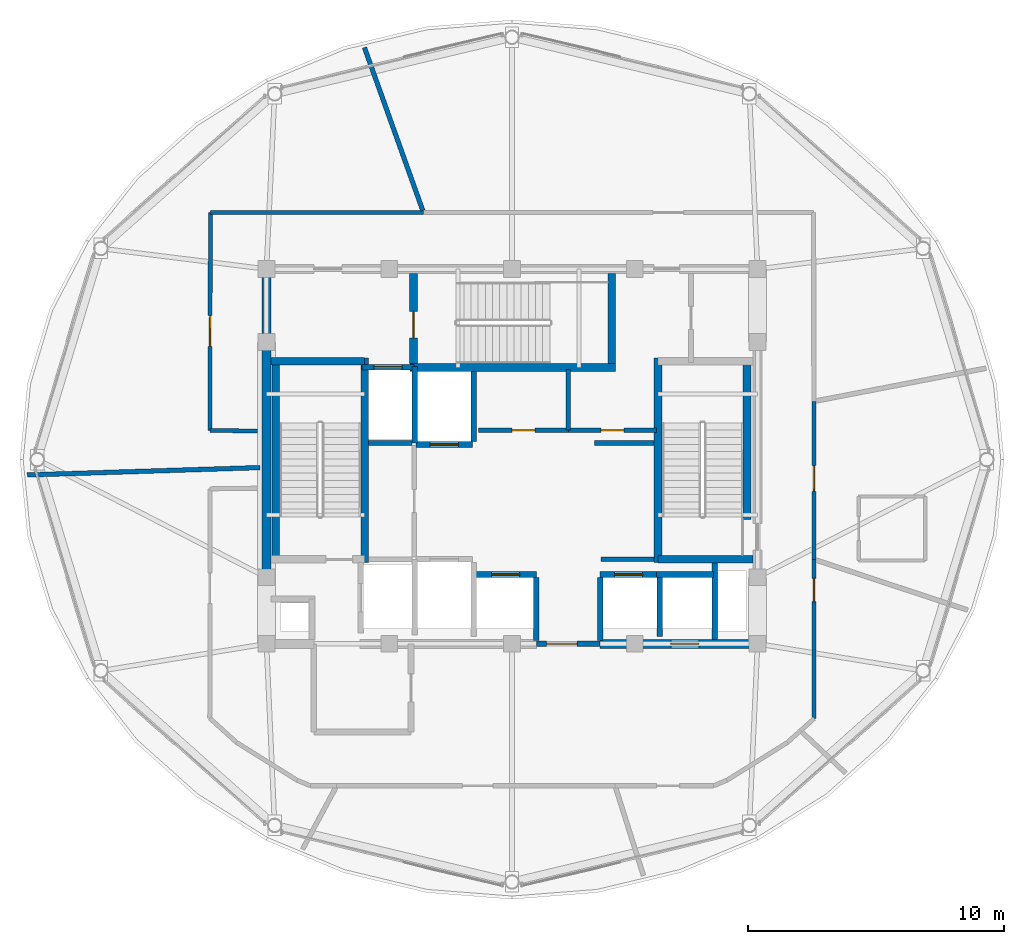
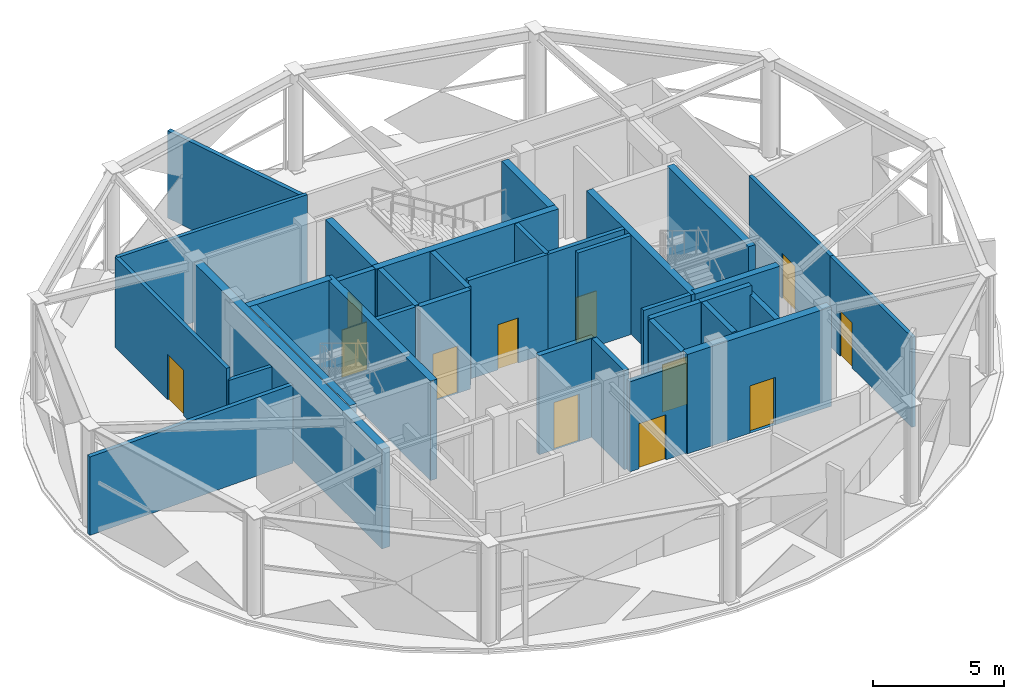
# One storey, part 17 of 22: 36 walls, 12 doors, 12 openings.
"""IFC4 building model written with IfcOpenShell, lengths in metres."""

from ifc_helpers import new_model, si_unit, direction, frame, frame_2d, origin, place, context, subcontext, project, spatial, rectangle, extrude, material, layer, layer_set, type_object, element, fill, save


model = new_model("IFC4")

# Units and contexts
model_context = context("Model", 3, precision=1e-05, world=origin(), true_north=direction((0.0, 1.0)))
body_context = subcontext(model_context, "Body", "Model", "MODEL_VIEW")
ifc_project = project(units=[si_unit("LENGTHUNIT", "METRE"), si_unit("AREAUNIT", "SQUARE_METRE"), si_unit("VOLUMEUNIT", "CUBIC_METRE"), si_unit("PLANEANGLEUNIT", "RADIAN"), si_unit("MASSUNIT", "GRAM", prefix="KILO")], contexts=[model_context])

# Site, building, storey
site_placement = place(None, origin())
site = spatial("IfcSite", under=ifc_project, at=site_placement, CompositionType="ELEMENT")
building_placement = place(site_placement, origin())
building = spatial("IfcBuilding", under=site, at=building_placement, Name="Vantalir Tower", CompositionType="ELEMENT")
storey_placement = place(building_placement, frame((0.0, 0.0, 294.89990234375)))
storey = spatial("IfcBuildingStorey", under=building, at=storey_placement, Name="L74", CompositionType="ELEMENT", Elevation=294.89990234375)

# Wall, opening, door
ifc_material_1 = material(Name="Concrete C50/60", Category="concrete")
ifc_layer_1 = layer(ifc_material_1, 0.35009765625)
ifc_layer_set_1 = layer_set([ifc_layer_1], Name="Concrete C50/60")
wall_type_1 = type_object("IfcWallType", Name="WL-CORE-350", PredefinedType="SHEAR", material=ifc_layer_set_1)
wall_1_placement = place(storey_placement, frame((34.949951171875, 17.800048828125, 0.0), z_axis=(0.0, 0.0, 1.0), x_axis=(1.0, 0.0, 0.0)))
wall_1 = element("IfcWall", 1, at=wall_1_placement, inside=storey, type_object=wall_type_1, Name="L74 Core Shear Wall South-East", PredefinedType="SHEAR", context=body_context, shape_type="SweptSolid", body=[
    extrude(rectangle(XDim=6.324951171875, YDim=0.35009765625, at=frame_2d((3.16259765625, 0.0))), origin(), (0.0, 0.0, 1.0), 4.6201171875),
])
opening_1_placement = place(wall_1_placement, frame((2.760009765625, 0.0, 0.0)))
opening_1 = element("IfcOpeningElement", 2, at=opening_1_placement, cuts=wall_1, Name="Opening LD-PL-X2", PredefinedType="OPENING", context=body_context, shape_type="SweptSolid", body=[
    extrude(rectangle(XDim=1.10009765625, YDim=2.199951171875, at=frame_2d((0.550048828125, 1.10009765625))), frame((0.0, 0.18505859375, 0.0), z_axis=(0.0, -1.0, 0.0), x_axis=(1.0, 0.0, 0.0)), (0.0, 0.0, 1.0), 0.3701171875),
])
ifc_material_2 = material(Name="Brushed stainless-steel sliding lift landing door", Category="steel")
door_type_1 = type_object("IfcDoorType", Name="DR-LIFT-LANDING-1100", OperationType="DOUBLE_DOOR_SLIDING", PredefinedType="DOOR", material=ifc_material_2)
door_1_placement = place(opening_1_placement, frame((1.10009765625, 0.0, 0.0), z_axis=(0.0, 0.0, 1.0), x_axis=(-1.0, 0.0, 0.0)))
door_1 = element("IfcDoor", 3, at=door_1_placement, inside=storey, type_object=door_type_1, Name="L74 Express Shuttle Lift Landing Door PL-X2", OperationType="DOUBLE_DOOR_SLIDING", OverallHeight=2.199951171875, OverallWidth=1.10009765625, PredefinedType="DOOR", context=body_context, shape_type="SweptSolid", body=[
    extrude(rectangle(XDim=1.10009765625, YDim=2.199951171875, at=frame_2d((0.550048828125, 1.10009765625))), frame((0.0, 0.02490234375, 0.0), z_axis=(0.0, -1.0, 0.0), x_axis=(1.0, 0.0, 0.0)), (0.0, 0.0, 1.0), 0.050048828125),
])
fill(opening_1, door_1)

# Walls
wall_2_placement = place(storey_placement, frame((21.89990234375, 17.97509765625, 0.0), z_axis=(0.0, 0.0, 1.0), x_axis=(0.0, 1.0, 0.0)))
element("IfcWall", 4, at=wall_2_placement, inside=storey, type_object=wall_type_1, Name="L74 Core Shear Wall West", PredefinedType="SHEAR", context=body_context, shape_type="SweptSolid", body=[
    extrude(rectangle(XDim=14.2998046875, YDim=0.35009765625, at=frame_2d((7.14990234375, 0.0))), origin(), (0.0, 0.0, 1.0), 4.6201171875),
])
ifc_material_3 = material(Name="Fire-rated hotel corridor acoustic partition", Category="gypsum")
ifc_layer_2 = layer(ifc_material_3, 0.159912109375)
ifc_layer_set_2 = layer_set([ifc_layer_2], Name="Fire-rated hotel corridor acoustic partition")
wall_type_2 = type_object("IfcWallType", Name="WL-CORR-160", PredefinedType="PARTITIONING", material=ifc_layer_set_2)
wall_3_placement = place(storey_placement, frame((21.544921875, 26.116943359375, 0.0), z_axis=(0.0, 0.0, 1.0), x_axis=(-0.999908513059, 0.0135264745, 0.0)))
element("IfcWall", 5, at=wall_3_placement, inside=storey, type_object=wall_type_2, Name="L74 Corridor Partition 01", PredefinedType="PARTITIONING", context=body_context, shape_type="SweptSolid", body=[
    extrude(rectangle(XDim=1.859130859375, YDim=0.159912109375, at=frame_2d((0.9296875, 0.0))), origin(), (0.0, 0.0, 1.0), 3.64501953125),
])

# Wall, opening, door
wall_4_placement = place(storey_placement, frame((19.68603515625, 26.14208984375, 0.0), z_axis=(0.0, 0.0, 1.0), x_axis=(0.002808172778, 0.999996057075, 0.0)))
wall_4 = element("IfcWall", 6, at=wall_4_placement, inside=storey, type_object=wall_type_2, Name="L74 Corridor Partition 02", PredefinedType="PARTITIONING", context=body_context, shape_type="SweptSolid", body=[
    extrude(rectangle(XDim=8.52001953125, YDim=0.159912109375, at=frame_2d((4.260009765625, 0.0))), origin(), (0.0, 0.0, 1.0), 4.18310546875),
])
opening_2_placement = place(wall_4_placement, frame((3.2880859375, 0.0, 0.0)))
opening_2 = element("IfcOpeningElement", 7, at=opening_2_placement, cuts=wall_4, Name="Opening D-STE", PredefinedType="OPENING", context=body_context, shape_type="SweptSolid", body=[
    extrude(rectangle(XDim=1.199951171875, YDim=2.10009765625, at=frame_2d((0.60009765625, 1.050048828125))), frame((0.0, 0.08984375, 0.0), z_axis=(0.0, -1.0, 0.0), x_axis=(1.0, 0.0, 0.0)), (0.0, 0.0, 1.0), 0.179931640625),
])
ifc_material_4 = material(Name="Solid-core teak veneer suite entrance door", Category="wood")
door_type_2 = type_object("IfcDoorType", Name="DR-SUITE-ENTRY-1200", OperationType="NOTDEFINED", PredefinedType="DOOR", material=ifc_material_4)
door_2_placement = place(opening_2_placement, origin())
door_2 = element("IfcDoor", 8, at=door_2_placement, inside=storey, type_object=door_type_2, Name="L74 Sky Observatory Lounge Door", OperationType="SINGLE_SWING_LEFT", OverallHeight=2.10009765625, OverallWidth=1.199951171875, PredefinedType="DOOR", context=body_context, shape_type="SweptSolid", body=[
    extrude(rectangle(XDim=1.199951171875, YDim=2.10009765625, at=frame_2d((0.60009765625, 1.050048828125))), frame((0.0, 0.02490234375, 0.0), z_axis=(0.0, -1.0, 0.0), x_axis=(1.0, 0.0, 0.0)), (0.0, 0.0, 1.0), 0.050048828125),
])
fill(opening_2, door_2)

# Wall
wall_5_placement = place(storey_placement, frame((19.7099609375, 34.662109375, 0.0), z_axis=(0.0, 0.0, 1.0), x_axis=(0.999999989265, -0.000146524439, 0.0)))
element("IfcWall", 9, at=wall_5_placement, inside=storey, type_object=wall_type_2, Name="L74 Corridor Partition 03", PredefinedType="PARTITIONING", context=body_context, shape_type="SweptSolid", body=[
    extrude(rectangle(XDim=8.3310546875, YDim=0.159912109375, at=frame_2d((4.16552734375, 0.0))), origin(), (0.0, 0.0, 1.0), 4.18310546875),
])

# Wall, opening, door
wall_6_placement = place(storey_placement, frame((43.300048828125, 27.27587890625, 0.0), z_axis=(0.0, 0.0, 1.0), x_axis=(0.000790763631, -0.999999687346, 0.0)))
wall_6 = element("IfcWall", 10, at=wall_6_placement, inside=storey, type_object=wall_type_2, Name="L74 Corridor Partition 06", PredefinedType="PARTITIONING", context=body_context, shape_type="SweptSolid", body=[
    extrude(rectangle(XDim=6.1748046875, YDim=0.159912109375, at=frame_2d((3.08740234375, 0.0))), origin(), (0.0, 0.0, 1.0), 4.18310546875),
])
opening_3_placement = place(wall_6_placement, frame((2.513916015625, 0.0, 0.0)))
opening_3 = element("IfcOpeningElement", 11, at=opening_3_placement, cuts=wall_6, Name="Opening D-GUEST", PredefinedType="OPENING", context=body_context, shape_type="SweptSolid", body=[
    extrude(rectangle(XDim=1.0, YDim=2.10009765625, at=frame_2d((0.5, 1.050048828125))), frame((0.0, 0.08984375, 0.0), z_axis=(0.0, -1.0, 0.0), x_axis=(1.0, 0.0, 0.0)), (0.0, 0.0, 1.0), 0.179931640625),
])
ifc_material_5 = material(Name="Solid-core teak veneer acoustic fire door", Category="wood")
door_type_3 = type_object("IfcDoorType", Name="DR-GUEST-ENTRY-1000", OperationType="NOTDEFINED", PredefinedType="DOOR", material=ifc_material_5)
door_3_placement = place(opening_3_placement, origin())
door_3 = element("IfcDoor", 12, at=door_3_placement, inside=storey, type_object=door_type_3, Name="L74 Sanitary Vestibule Door", OperationType="SINGLE_SWING_RIGHT", OverallHeight=2.10009765625, OverallWidth=1.0, PredefinedType="DOOR", context=body_context, shape_type="SweptSolid", body=[
    extrude(rectangle(XDim=1.0, YDim=2.10009765625, at=frame_2d((0.5, 1.050048828125))), frame((0.0, 0.02490234375, 0.0), z_axis=(0.0, -1.0, 0.0), x_axis=(1.0, 0.0, 0.0)), (0.0, 0.0, 1.0), 0.050048828125),
])
fill(opening_3, door_3)

wall_7_placement = place(storey_placement, frame((43.304931640625, 21.10107421875, 0.0), z_axis=(0.0, 0.0, 1.0), x_axis=(0.000980468585, -0.999999519341, 0.0)))
wall_7 = element("IfcWall", 13, at=wall_7_placement, inside=storey, type_object=wall_type_2, Name="L74 Corridor Partition 07", PredefinedType="PARTITIONING", context=body_context, shape_type="SweptSolid", body=[
    extrude(rectangle(XDim=6.22509765625, YDim=0.159912109375, at=frame_2d((3.112548828125, 0.0))), origin(), (0.0, 0.0, 1.0), 4.18310546875),
])
opening_4_placement = place(wall_7_placement, frame((0.7490234375, 0.0, 0.0)))
opening_4 = element("IfcOpeningElement", 14, at=opening_4_placement, cuts=wall_7, Name="Opening D-WC", PredefinedType="OPENING", context=body_context, shape_type="SweptSolid", body=[
    extrude(rectangle(XDim=0.89990234375, YDim=2.10009765625, at=frame_2d((0.449951171875, 1.050048828125))), frame((0.0, 0.08984375, 0.0), z_axis=(0.0, -1.0, 0.0), x_axis=(1.0, 0.0, 0.0)), (0.0, 0.0, 1.0), 0.179931640625),
])
ifc_material_6 = material(Name="Moisture-resistant hardwood door", Category="wood")
door_type_4 = type_object("IfcDoorType", Name="DR-ENSUITE-900", OperationType="NOTDEFINED", PredefinedType="DOOR", material=ifc_material_6)
door_4_placement = place(opening_4_placement, origin())
door_4 = element("IfcDoor", 15, at=door_4_placement, inside=storey, type_object=door_type_4, Name="L74 Public Female WC Door", OperationType="SINGLE_SWING_LEFT", OverallHeight=2.10009765625, OverallWidth=0.89990234375, PredefinedType="DOOR", context=body_context, shape_type="SweptSolid", body=[
    extrude(rectangle(XDim=0.89990234375, YDim=2.10009765625, at=frame_2d((0.449951171875, 1.050048828125))), frame((0.0, 0.02490234375, 0.0), z_axis=(0.0, -1.0, 0.0), x_axis=(1.0, 0.0, 0.0)), (0.0, 0.0, 1.0), 0.050048828125),
])
fill(opening_4, door_4)

# Walls
ifc_material_7 = material(Name="Concrete blockwork with fireboard lining", Category="masonry")
ifc_layer_3 = layer(ifc_material_7, 0.219970703125)
ifc_layer_set_3 = layer_set([ifc_layer_3], Name="Concrete blockwork with fireboard lining")
wall_type_3 = type_object("IfcWallType", Name="WL-FFL-220", PredefinedType="PARTITIONING", material=ifc_layer_set_3)
for number, where, z_axis, x_axis, name in (
    (16, (32.449951171875, 17.919921875, 0.0), (0.0, 0.0, 1.0), (0.0, 1.0, 0.0), "L74 Shuttle Lift PL-X1 East Shaft Cheek"),
    (17, (34.949951171875, 17.919921875, 0.0), (0.0, 0.0, 1.0), (0.0, 1.0, 0.0), "L74 Shuttle Lift PL-X3 West Shaft Cheek"),
):
    element("IfcWall", number, at=place(storey_placement, frame(where, z_axis=z_axis, x_axis=x_axis)), inside=storey, type_object=wall_type_3, Name=name, PredefinedType="PARTITIONING", context=body_context, shape_type="SweptSolid", body=[
        extrude(rectangle(XDim=2.469970703125, YDim=0.219970703125, at=frame_2d((1.23486328125, 0.0))), origin(), (0.0, 0.0, 1.0), 4.59521484375),
    ])
wall_8_placement = place(storey_placement, frame((37.27490234375, 18.080078125, 0.0), z_axis=(0.0, 0.0, 1.0), x_axis=(0.0, 1.0, 0.0)))
element("IfcWall", 18, at=wall_8_placement, inside=storey, type_object=wall_type_3, Name="L74 Shuttle Lift PL-X2/X3 Shaft Divider", PredefinedType="PARTITIONING", context=body_context, shape_type="SweptSolid", body=[
    extrude(rectangle(XDim=2.309814453125, YDim=0.219970703125, at=frame_2d((1.15478515625, 0.0))), origin(), (0.0, 0.0, 1.0), 4.59521484375),
])
wall_9_placement = place(storey_placement, frame((30.0, 25.7099609375, 0.0), z_axis=(0.0, 0.0, 1.0), x_axis=(0.0, 1.0, 0.0)))
element("IfcWall", 19, at=wall_9_placement, inside=storey, type_object=wall_type_3, Name="L74 Service Lift SV2 East Shaft Wall", PredefinedType="PARTITIONING", context=body_context, shape_type="SweptSolid", body=[
    extrude(rectangle(XDim=2.72998046875, YDim=0.219970703125, at=frame_2d((1.364990234375, 0.0))), origin(), (0.0, 0.0, 1.0), 4.59521484375),
])

# Wall, opening, door
wall_10_placement = place(storey_placement, frame((32.449951171875, 17.800048828125, 0.0), z_axis=(0.0, 0.0, 1.0), x_axis=(1.0, 0.0, 0.0)))
wall_10 = element("IfcWall", 20, at=wall_10_placement, inside=storey, type_object=wall_type_3, Name="L74 Passenger Lift Lobby South Wall", PredefinedType="PARTITIONING", context=body_context, shape_type="SweptSolid", body=[
    extrude(rectangle(XDim=2.5, YDim=0.219970703125, at=frame_2d((1.25, 0.0))), origin(), (0.0, 0.0, 1.0), 4.18310546875),
])
opening_5_placement = place(wall_10_placement, frame((0.39990234375, 0.0, 0.0)))
opening_5 = element("IfcOpeningElement", 21, at=opening_5_placement, cuts=wall_10, Name="Opening D-STE", PredefinedType="OPENING", context=body_context, shape_type="SweptSolid", body=[
    extrude(rectangle(XDim=1.199951171875, YDim=2.10009765625, at=frame_2d((0.60009765625, 1.050048828125))), frame((0.0, 0.119873046875, 0.0), z_axis=(0.0, -1.0, 0.0), x_axis=(1.0, 0.0, 0.0)), (0.0, 0.0, 1.0), 0.239990234375),
])
door_5_placement = place(opening_5_placement, origin())
door_5 = element("IfcDoor", 22, at=door_5_placement, inside=storey, type_object=door_type_2, Name="L74 Passenger Lift Lobby Concourse Door", OperationType="SINGLE_SWING_LEFT", OverallHeight=2.10009765625, OverallWidth=1.199951171875, PredefinedType="DOOR", context=body_context, shape_type="SweptSolid", body=[
    extrude(rectangle(XDim=1.199951171875, YDim=2.10009765625, at=frame_2d((0.60009765625, 1.050048828125))), frame((0.0, 0.02490234375, 0.0), z_axis=(0.0, -1.0, 0.0), x_axis=(1.0, 0.0, 0.0)), (0.0, 0.0, 1.0), 0.050048828125),
])
fill(opening_5, door_5)

# Wall
wall_11_placement = place(storey_placement, frame((39.419921875, 17.97509765625, 0.0), z_axis=(0.0, 0.0, 1.0), x_axis=(0.0, 1.0, 0.0)))
element("IfcWall", 23, at=wall_11_placement, inside=storey, type_object=wall_type_3, Name="L74 East MEP Riser Wall W", PredefinedType="PARTITIONING", context=body_context, shape_type="SweptSolid", body=[
    extrude(rectangle(XDim=2.974853515625, YDim=0.219970703125, at=frame_2d((1.4873046875, 0.0))), origin(), (0.0, 0.0, 1.0), 4.18310546875),
])

# Wall, opening, door
wall_12_placement = place(storey_placement, frame((25.639892578125, 28.610107421875, 0.0), z_axis=(0.0, 0.0, 1.0), x_axis=(1.0, 0.0, 0.0)))
wall_12 = element("IfcWall", 24, at=wall_12_placement, inside=storey, type_object=wall_type_3, Name="L74 Lift FL2 Shaft Front Wall", PredefinedType="PARTITIONING", context=body_context, shape_type="SweptSolid", body=[
    extrude(rectangle(XDim=2.02001953125, YDim=0.219970703125, at=frame_2d((1.010009765625, 0.0))), origin(), (0.0, 0.0, 1.0), 4.60009765625),
])
opening_6_placement = place(wall_12_placement, frame((0.4599609375, 0.0, 0.0)))
opening_6 = element("IfcOpeningElement", 25, at=opening_6_placement, cuts=wall_12, Name="Opening LD-FL2", PredefinedType="OPENING", context=body_context, shape_type="SweptSolid", body=[
    extrude(rectangle(XDim=1.10009765625, YDim=2.199951171875, at=frame_2d((0.550048828125, 1.10009765625))), frame((0.0, 0.119873046875, 0.0), z_axis=(0.0, -1.0, 0.0), x_axis=(1.0, 0.0, 0.0)), (0.0, 0.0, 1.0), 0.239990234375),
])
door_6_placement = place(opening_6_placement, origin())
door_6 = element("IfcDoor", 26, at=door_6_placement, inside=storey, type_object=door_type_1, Name="L74 Lift Landing Door FL2", OperationType="DOUBLE_DOOR_SLIDING", OverallHeight=2.199951171875, OverallWidth=1.10009765625, PredefinedType="DOOR", context=body_context, shape_type="SweptSolid", body=[
    extrude(rectangle(XDim=1.10009765625, YDim=2.199951171875, at=frame_2d((0.550048828125, 1.10009765625))), frame((0.0, 0.02490234375, 0.0), z_axis=(0.0, -1.0, 0.0), x_axis=(1.0, 0.0, 0.0)), (0.0, 0.0, 1.0), 0.050048828125),
])
fill(opening_6, door_6)

wall_13_placement = place(storey_placement, frame((27.739990234375, 25.590087890625, 0.0), z_axis=(0.0, 0.0, 1.0), x_axis=(1.0, 0.0, 0.0)))
wall_13 = element("IfcWall", 27, at=wall_13_placement, inside=storey, type_object=wall_type_3, Name="L74 Lift SV2 Shaft Front Wall", PredefinedType="PARTITIONING", context=body_context, shape_type="SweptSolid", body=[
    extrude(rectangle(XDim=2.219970703125, YDim=0.219970703125, at=frame_2d((1.10986328125, 0.0))), origin(), (0.0, 0.0, 1.0), 4.60009765625),
])
opening_7_placement = place(wall_13_placement, frame((0.56005859375, 0.0, 0.0)))
opening_7 = element("IfcOpeningElement", 28, at=opening_7_placement, cuts=wall_13, Name="Opening LD-SV2", PredefinedType="OPENING", context=body_context, shape_type="SweptSolid", body=[
    extrude(rectangle(XDim=1.10009765625, YDim=2.199951171875, at=frame_2d((0.550048828125, 1.10009765625))), frame((0.0, 0.119873046875, 0.0), z_axis=(0.0, -1.0, 0.0), x_axis=(1.0, 0.0, 0.0)), (0.0, 0.0, 1.0), 0.239990234375),
])
door_7_placement = place(opening_7_placement, frame((1.10009765625, 0.0, 0.0), z_axis=(0.0, 0.0, 1.0), x_axis=(-1.0, 0.0, 0.0)))
door_7 = element("IfcDoor", 29, at=door_7_placement, inside=storey, type_object=door_type_1, Name="L74 Lift Landing Door SV2", OperationType="DOUBLE_DOOR_SLIDING", OverallHeight=2.199951171875, OverallWidth=1.10009765625, PredefinedType="DOOR", context=body_context, shape_type="SweptSolid", body=[
    extrude(rectangle(XDim=1.10009765625, YDim=2.199951171875, at=frame_2d((0.550048828125, 1.10009765625))), frame((0.0, 0.02490234375, 0.0), z_axis=(0.0, -1.0, 0.0), x_axis=(1.0, 0.0, 0.0)), (0.0, 0.0, 1.0), 0.050048828125),
])
fill(opening_7, door_7)

wall_14_placement = place(storey_placement, frame((30.0400390625, 20.510009765625, 0.0), z_axis=(0.0, 0.0, 1.0), x_axis=(1.0, 0.0, 0.0)))
wall_14 = element("IfcWall", 30, at=wall_14_placement, inside=storey, type_object=wall_type_3, Name="L74 Lift PL-X1 Shaft Front Wall", PredefinedType="PARTITIONING", context=body_context, shape_type="SweptSolid", body=[
    extrude(rectangle(XDim=2.419921875, YDim=0.219970703125, at=frame_2d((1.2099609375, 0.0))), origin(), (0.0, 0.0, 1.0), 4.60009765625),
])
opening_8_placement = place(wall_14_placement, frame((0.659912109375, 0.0, 0.0)))
opening_8 = element("IfcOpeningElement", 31, at=opening_8_placement, cuts=wall_14, Name="Opening LD-PL-X1", PredefinedType="OPENING", context=body_context, shape_type="SweptSolid", body=[
    extrude(rectangle(XDim=1.10009765625, YDim=2.199951171875, at=frame_2d((0.550048828125, 1.10009765625))), frame((0.0, 0.119873046875, 0.0), z_axis=(0.0, -1.0, 0.0), x_axis=(1.0, 0.0, 0.0)), (0.0, 0.0, 1.0), 0.239990234375),
])
door_8_placement = place(opening_8_placement, origin())
door_8 = element("IfcDoor", 32, at=door_8_placement, inside=storey, type_object=door_type_1, Name="L74 Lift Landing Door PL-X1", OperationType="DOUBLE_DOOR_SLIDING", OverallHeight=2.199951171875, OverallWidth=1.10009765625, PredefinedType="DOOR", context=body_context, shape_type="SweptSolid", body=[
    extrude(rectangle(XDim=1.10009765625, YDim=2.199951171875, at=frame_2d((0.550048828125, 1.10009765625))), frame((0.0, 0.02490234375, 0.0), z_axis=(0.0, -1.0, 0.0), x_axis=(1.0, 0.0, 0.0)), (0.0, 0.0, 1.0), 0.050048828125),
])
fill(opening_8, door_8)

# Wall
wall_15_placement = place(storey_placement, frame((37.139892578125, 20.510009765625, 0.0), z_axis=(0.0, 0.0, 1.0), x_axis=(1.0, 0.0, 0.0)))
element("IfcWall", 33, at=wall_15_placement, inside=storey, type_object=wall_type_3, Name="L74 Lift PL-X2 Shaft Rear Wall", PredefinedType="PARTITIONING", context=body_context, shape_type="SweptSolid", body=[
    extrude(rectangle(XDim=2.239990234375, YDim=0.219970703125, at=frame_2d((1.1201171875, 0.0))), origin(), (0.0, 0.0, 1.0), 4.60009765625),
])

# Wall, opening, door
wall_16_placement = place(storey_placement, frame((34.93994140625, 20.510009765625, 0.0), z_axis=(0.0, 0.0, 1.0), x_axis=(1.0, 0.0, 0.0)))
wall_16 = element("IfcWall", 34, at=wall_16_placement, inside=storey, type_object=wall_type_3, Name="L74 Lift PL-X3 Shaft Front Wall", PredefinedType="PARTITIONING", context=body_context, shape_type="SweptSolid", body=[
    extrude(rectangle(XDim=2.239990234375, YDim=0.219970703125, at=frame_2d((1.1201171875, 0.0))), origin(), (0.0, 0.0, 1.0), 4.60009765625),
])
opening_9_placement = place(wall_16_placement, frame((0.570068359375, 0.0, 0.0)))
opening_9 = element("IfcOpeningElement", 35, at=opening_9_placement, cuts=wall_16, Name="Opening LD-PL-X3", PredefinedType="OPENING", context=body_context, shape_type="SweptSolid", body=[
    extrude(rectangle(XDim=1.10009765625, YDim=2.199951171875, at=frame_2d((0.550048828125, 1.10009765625))), frame((0.0, 0.119873046875, 0.0), z_axis=(0.0, -1.0, 0.0), x_axis=(1.0, 0.0, 0.0)), (0.0, 0.0, 1.0), 0.239990234375),
])
door_9_placement = place(opening_9_placement, origin())
door_9 = element("IfcDoor", 36, at=door_9_placement, inside=storey, type_object=door_type_1, Name="L74 Lift Landing Door PL-X3", OperationType="DOUBLE_DOOR_SLIDING", OverallHeight=2.199951171875, OverallWidth=1.10009765625, PredefinedType="DOOR", context=body_context, shape_type="SweptSolid", body=[
    extrude(rectangle(XDim=1.10009765625, YDim=2.199951171875, at=frame_2d((0.550048828125, 1.10009765625))), frame((0.0, 0.02490234375, 0.0), z_axis=(0.0, -1.0, 0.0), x_axis=(1.0, 0.0, 0.0)), (0.0, 0.0, 1.0), 0.050048828125),
])
fill(opening_9, door_9)

# Walls
wall_17_placement = place(storey_placement, frame((27.699951171875, 25.64990234375, 0.0), z_axis=(0.0, 0.0, 1.0), x_axis=(0.0, 1.0, 0.0)))
element("IfcWall", 37, at=wall_17_placement, inside=storey, type_object=wall_type_3, Name="L74 Fire Lift FL2 Dividing Wall", PredefinedType="PARTITIONING", context=body_context, shape_type="SweptSolid", body=[
    extrude(rectangle(XDim=3.0, YDim=0.219970703125, at=frame_2d((1.5, 0.0))), origin(), (0.0, 0.0, 1.0), 4.60009765625),
])
ifc_material_8 = material(Name="Twin-stud acoustic fire-rated gypsum partition", Category="gypsum")
ifc_layer_4 = layer(ifc_material_8, 0.179931640625)
ifc_layer_set_4 = layer_set([ifc_layer_4], Name="Twin-stud acoustic fire-rated gypsum partition")
wall_type_4 = type_object("IfcWallType", Name="WL-GUEST-180", PredefinedType="PARTITIONING", material=ifc_layer_set_4)
wall_18_placement = place(storey_placement, frame((25.889892578125, 25.64990234375, 0.0), z_axis=(0.0, 0.0, 1.0), x_axis=(1.0, 0.0, 0.0)))
element("IfcWall", 38, at=wall_18_placement, inside=storey, type_object=wall_type_4, Name="L74 Freed West Core North Wall", PredefinedType="PARTITIONING", context=body_context, shape_type="SweptSolid", body=[
    extrude(rectangle(XDim=1.7001953125, YDim=0.179931640625, at=frame_2d((0.85009765625, 0.0))), origin(), (0.0, 0.0, 1.0), 4.60009765625),
])
wall_19_placement = place(storey_placement, frame((34.97998046875, 21.10009765625, 0.0), z_axis=(0.0, 0.0, 1.0), x_axis=(1.0, 0.0, 0.0)))
element("IfcWall", 39, at=wall_19_placement, inside=storey, type_object=wall_type_4, Name="L74 Freed East Core South Wall", PredefinedType="PARTITIONING", context=body_context, shape_type="SweptSolid", body=[
    extrude(rectangle(XDim=2.080078125, YDim=0.179931640625, at=frame_2d((1.0400390625, 0.0))), origin(), (0.0, 0.0, 1.0), 4.60009765625),
])
wall_20_placement = place(storey_placement, frame((34.719970703125, 25.64990234375, 0.0), z_axis=(0.0, 0.0, 1.0), x_axis=(1.0, 0.0, 0.0)))
element("IfcWall", 40, at=wall_20_placement, inside=storey, type_object=wall_type_4, Name="L74 Freed East Core North Wall", PredefinedType="PARTITIONING", context=body_context, shape_type="SweptSolid", body=[
    extrude(rectangle(XDim=2.340087890625, YDim=0.179931640625, at=frame_2d((1.169921875, 0.0))), origin(), (0.0, 0.0, 1.0), 4.60009765625),
])
wall_21_placement = place(storey_placement, frame((33.699951171875, 26.14990234375, 0.0), z_axis=(0.0, 0.0, 1.0), x_axis=(0.0, 1.0, 0.0)))
element("IfcWall", 41, at=wall_21_placement, inside=storey, type_object=wall_type_4, Name="L74 Freed North-Mid Core Divider", PredefinedType="PARTITIONING", context=body_context, shape_type="SweptSolid", body=[
    extrude(rectangle(XDim=2.3701171875, YDim=0.179931640625, at=frame_2d((1.18505859375, 0.0))), origin(), (0.0, 0.0, 1.0), 4.60009765625),
])

# Wall, opening, door
wall_22_placement = place(storey_placement, frame((30.199951171875, 26.14990234375, 0.0), z_axis=(0.0, 0.0, 1.0), x_axis=(1.0, 0.0, 0.0)))
wall_22 = element("IfcWall", 42, at=wall_22_placement, inside=storey, type_object=wall_type_4, Name="L74 Freed North-Mid Core Wall W", PredefinedType="PARTITIONING", context=body_context, shape_type="SweptSolid", body=[
    extrude(rectangle(XDim=3.5, YDim=0.179931640625, at=frame_2d((1.75, 0.0))), origin(), (0.0, 0.0, 1.0), 4.60009765625),
])
opening_10_placement = place(wall_22_placement, frame((1.300048828125, 0.0, 0.0)))
opening_10 = element("IfcOpeningElement", 43, at=opening_10_placement, cuts=wall_22, Name="Opening D-CR", PredefinedType="OPENING", context=body_context, shape_type="SweptSolid", body=[
    extrude(rectangle(XDim=0.89990234375, YDim=2.10009765625, at=frame_2d((0.449951171875, 1.050048828125))), frame((0.0, 0.099853515625, 0.0), z_axis=(0.0, -1.0, 0.0), x_axis=(1.0, 0.0, 0.0)), (0.0, 0.0, 1.0), 0.199951171875),
])
ifc_material_9 = material(Name="Fire-rated steel core service door", Category="steel")
door_type_5 = type_object("IfcDoorType", Name="DR-CORE-SERV-900", OperationType="NOTDEFINED", PredefinedType="DOOR", material=ifc_material_9)
door_10_placement = place(opening_10_placement, origin())
door_10 = element("IfcDoor", 44, at=door_10_placement, inside=storey, type_object=door_type_5, Name="L74 Core Cloakroom Store Door", OperationType="SINGLE_SWING_LEFT", OverallHeight=2.10009765625, OverallWidth=0.89990234375, PredefinedType="DOOR", context=body_context, shape_type="SweptSolid", body=[
    extrude(rectangle(XDim=0.89990234375, YDim=2.10009765625, at=frame_2d((0.449951171875, 1.050048828125))), frame((0.0, 0.02490234375, 0.0), z_axis=(0.0, -1.0, 0.0), x_axis=(1.0, 0.0, 0.0)), (0.0, 0.0, 1.0), 0.050048828125),
])
fill(opening_10, door_10)

wall_23_placement = place(storey_placement, frame((33.699951171875, 26.14990234375, 0.0), z_axis=(0.0, 0.0, 1.0), x_axis=(1.0, 0.0, 0.0)))
wall_23 = element("IfcWall", 45, at=wall_23_placement, inside=storey, type_object=wall_type_4, Name="L74 Freed North-Mid Core Wall E", PredefinedType="PARTITIONING", context=body_context, shape_type="SweptSolid", body=[
    extrude(rectangle(XDim=3.449951171875, YDim=0.179931640625, at=frame_2d((1.72509765625, 0.0))), origin(), (0.0, 0.0, 1.0), 4.60009765625),
])
opening_11_placement = place(wall_23_placement, frame((1.27490234375, 0.0, 0.0)))
opening_11 = element("IfcOpeningElement", 46, at=opening_11_placement, cuts=wall_23, Name="Opening D-CR", PredefinedType="OPENING", context=body_context, shape_type="SweptSolid", body=[
    extrude(rectangle(XDim=0.89990234375, YDim=2.10009765625, at=frame_2d((0.449951171875, 1.050048828125))), frame((0.0, 0.099853515625, 0.0), z_axis=(0.0, -1.0, 0.0), x_axis=(1.0, 0.0, 0.0)), (0.0, 0.0, 1.0), 0.199951171875),
])
door_11_placement = place(opening_11_placement, origin())
door_11 = element("IfcDoor", 47, at=door_11_placement, inside=storey, type_object=door_type_5, Name="L74 Core AV Room Door", OperationType="SINGLE_SWING_RIGHT", OverallHeight=2.10009765625, OverallWidth=0.89990234375, PredefinedType="DOOR", context=body_context, shape_type="SweptSolid", body=[
    extrude(rectangle(XDim=0.89990234375, YDim=2.10009765625, at=frame_2d((0.449951171875, 1.050048828125))), frame((0.0, 0.02490234375, 0.0), z_axis=(0.0, -1.0, 0.0), x_axis=(1.0, 0.0, 0.0)), (0.0, 0.0, 1.0), 0.050048828125),
])
fill(opening_11, door_11)

# Walls
wall_24_placement = place(storey_placement, frame((28.011962890625, 34.739990234375, 0.0), z_axis=(0.0, 0.0, 1.0), x_axis=(-0.337062739669, 0.941482187578, 0.0)))
element("IfcWall", 48, at=wall_24_placement, inside=storey, type_object=wall_type_4, Name="L74 Radial Suite Partition 02", PredefinedType="PARTITIONING", context=body_context, shape_type="SweptSolid", body=[
    extrude(rectangle(XDim=6.770263671875, YDim=0.179931640625, at=frame_2d((3.38525390625, 0.0))), origin(), (0.0, 0.0, 1.0), 4.052978515625),
])
wall_25_placement = place(storey_placement, frame((21.64990234375, 24.68798828125, 0.0), z_axis=(0.0, 0.0, 1.0), x_axis=(-0.999499359617, -0.031639060127, 0.0)))
element("IfcWall", 49, at=wall_25_placement, inside=storey, type_object=wall_type_4, Name="L74 Radial Suite Partition 03", PredefinedType="PARTITIONING", context=body_context, shape_type="SweptSolid", body=[
    extrude(rectangle(XDim=9.10546875, YDim=0.179931640625, at=frame_2d((4.552734375, 0.0))), origin(), (0.0, 0.0, 1.0), 3.64501953125),
])
ifc_layer_5 = layer(ifc_material_1, 0.300048828125)
ifc_layer_set_5 = layer_set([ifc_layer_5], Name="Concrete C50/60")
wall_type_5 = type_object("IfcWallType", Name="WL-STAIR-300", PredefinedType="SHEAR", material=ifc_layer_set_5)
wall_26_placement = place(storey_placement, frame((22.074951171875, 28.85009765625, 0.0), z_axis=(0.0, 0.0, 1.0), x_axis=(1.0, 0.0, 0.0)))
element("IfcWall", 50, at=wall_26_placement, inside=storey, type_object=wall_type_5, Name="L74 Stair ST1 North Wall", PredefinedType="SHEAR", context=body_context, shape_type="SweptSolid", body=[
    extrude(rectangle(XDim=3.6650390625, YDim=0.300048828125, at=frame_2d((1.83251953125, 0.0))), origin(), (0.0, 0.0, 1.0), 4.6201171875),
])
wall_27_placement = place(storey_placement, frame((25.739990234375, 20.97998046875, 0.0), z_axis=(0.0, 0.0, 1.0), x_axis=(0.0, 1.0, 0.0)))
element("IfcWall", 51, at=wall_27_placement, inside=storey, type_object=wall_type_5, Name="L74 Stair ST1 East Wall", PredefinedType="SHEAR", context=body_context, shape_type="SweptSolid", body=[
    extrude(rectangle(XDim=7.989990234375, YDim=0.300048828125, at=frame_2d((3.9951171875, 0.0))), origin(), (0.0, 0.0, 1.0), 4.6201171875),
])
wall_28_placement = place(storey_placement, frame((22.260009765625, 21.10009765625, 0.0), z_axis=(0.0, 0.0, 1.0), x_axis=(0.0, 1.0, 0.0)))
element("IfcWall", 52, at=wall_28_placement, inside=storey, type_object=wall_type_5, Name="L74 Stair ST1 West Liner Wall", PredefinedType="SHEAR", context=body_context, shape_type="SweptSolid", body=[
    extrude(rectangle(XDim=7.75, YDim=0.300048828125, at=frame_2d((3.875, 0.0))), origin(), (0.0, 0.0, 1.0), 4.6201171875),
])
wall_29_placement = place(storey_placement, frame((37.2099609375, 21.10009765625, 0.0), z_axis=(0.0, 0.0, 1.0), x_axis=(1.0, 0.0, 0.0)))
element("IfcWall", 53, at=wall_29_placement, inside=storey, type_object=wall_type_5, Name="L74 Stair ST2 South Wall", PredefinedType="SHEAR", context=body_context, shape_type="SweptSolid", body=[
    extrude(rectangle(XDim=3.715087890625, YDim=0.300048828125, at=frame_2d((1.857421875, 0.0))), origin(), (0.0, 0.0, 1.0), 4.6201171875),
])
wall_30_placement = place(storey_placement, frame((37.2099609375, 20.97998046875, 0.0), z_axis=(0.0, 0.0, 1.0), x_axis=(0.0, 1.0, 0.0)))
element("IfcWall", 54, at=wall_30_placement, inside=storey, type_object=wall_type_5, Name="L74 Stair ST2 West Wall", PredefinedType="SHEAR", context=body_context, shape_type="SweptSolid", body=[
    extrude(rectangle(XDim=7.989990234375, YDim=0.300048828125, at=frame_2d((3.9951171875, 0.0))), origin(), (0.0, 0.0, 1.0), 4.6201171875),
])
wall_31_placement = place(storey_placement, frame((40.68994140625, 22.64990234375, 0.0), z_axis=(0.0, 0.0, 1.0), x_axis=(0.0, 1.0, 0.0)))
element("IfcWall", 55, at=wall_31_placement, inside=storey, type_object=wall_type_5, Name="L74 Stair ST2 East Liner Wall", PredefinedType="SHEAR", context=body_context, shape_type="SweptSolid", body=[
    extrude(rectangle(XDim=6.2001953125, YDim=0.300048828125, at=frame_2d((3.10009765625, 0.0))), origin(), (0.0, 0.0, 1.0), 4.6201171875),
])
wall_32_placement = place(storey_placement, frame((27.510009765625, 28.60009765625, 0.0), z_axis=(0.0, 0.0, 1.0), x_axis=(1.0, 0.0, 0.0)))
element("IfcWall", 56, at=wall_32_placement, inside=storey, type_object=wall_type_5, Name="L74 Stair ST3 South Wall", PredefinedType="SHEAR", context=body_context, shape_type="SweptSolid", body=[
    extrude(rectangle(XDim=8.030029296875, YDim=0.300048828125, at=frame_2d((4.01513671875, 0.0))), origin(), (0.0, 0.0, 1.0), 4.6201171875),
])

# Wall, opening, door
wall_33_placement = place(storey_placement, frame((27.64990234375, 28.75, 0.0), z_axis=(0.0, 0.0, 1.0), x_axis=(0.0, 1.0, 0.0)))
wall_33 = element("IfcWall", 57, at=wall_33_placement, inside=storey, type_object=wall_type_5, Name="L74 Stair ST3 West Wall", PredefinedType="SHEAR", context=body_context, shape_type="SweptSolid", body=[
    extrude(rectangle(XDim=3.52490234375, YDim=0.300048828125, at=frame_2d((1.762451171875, 0.0))), origin(), (0.0, 0.0, 1.0), 4.6201171875),
])
opening_12_placement = place(wall_33_placement, frame((1.0, 0.0, 0.0)))
opening_12 = element("IfcOpeningElement", 58, at=opening_12_placement, cuts=wall_33, Name="Opening D-ST", PredefinedType="OPENING", context=body_context, shape_type="SweptSolid", body=[
    extrude(rectangle(XDim=1.050048828125, YDim=2.10009765625, at=frame_2d((0.52490234375, 1.050048828125))), frame((0.0, 0.159912109375, 0.0), z_axis=(0.0, -1.0, 0.0), x_axis=(1.0, 0.0, 0.0)), (0.0, 0.0, 1.0), 0.320068359375),
])
ifc_material_10 = material(Name="Fire-rated steel door leaf", Category="steel")
door_type_6 = type_object("IfcDoorType", Name="DR-FIRE-STAIR-1050", OperationType="NOTDEFINED", PredefinedType="DOOR", material=ifc_material_10)
door_12_placement = place(opening_12_placement, frame((1.050048828125, 0.0, 0.0), z_axis=(0.0, 0.0, 1.0), x_axis=(-1.0, 0.0, 0.0)))
door_12 = element("IfcDoor", 59, at=door_12_placement, inside=storey, type_object=door_type_6, Name="L74 Exit Stair ST3 Fire Door", OperationType="SINGLE_SWING_LEFT", OverallHeight=2.10009765625, OverallWidth=1.050048828125, PredefinedType="DOOR", context=body_context, shape_type="SweptSolid", body=[
    extrude(rectangle(XDim=1.050048828125, YDim=2.10009765625, at=frame_2d((0.52490234375, 1.050048828125))), frame((0.0, 0.02490234375, 0.0), z_axis=(0.0, -1.0, 0.0), x_axis=(1.0, 0.0, 0.0)), (0.0, 0.0, 1.0), 0.050048828125),
])
fill(opening_12, door_12)

# Wall
wall_34_placement = place(storey_placement, frame((35.39990234375, 28.75, 0.0), z_axis=(0.0, 0.0, 1.0), x_axis=(0.0, 1.0, 0.0)))
element("IfcWall", 60, at=wall_34_placement, inside=storey, type_object=wall_type_5, Name="L74 Stair ST3 East Wall", PredefinedType="SHEAR", context=body_context, shape_type="SweptSolid", body=[
    extrude(rectangle(XDim=3.52490234375, YDim=0.300048828125, at=frame_2d((1.762451171875, 0.0))), origin(), (0.0, 0.0, 1.0), 4.6201171875),
])

save(model, "model.ifc")
